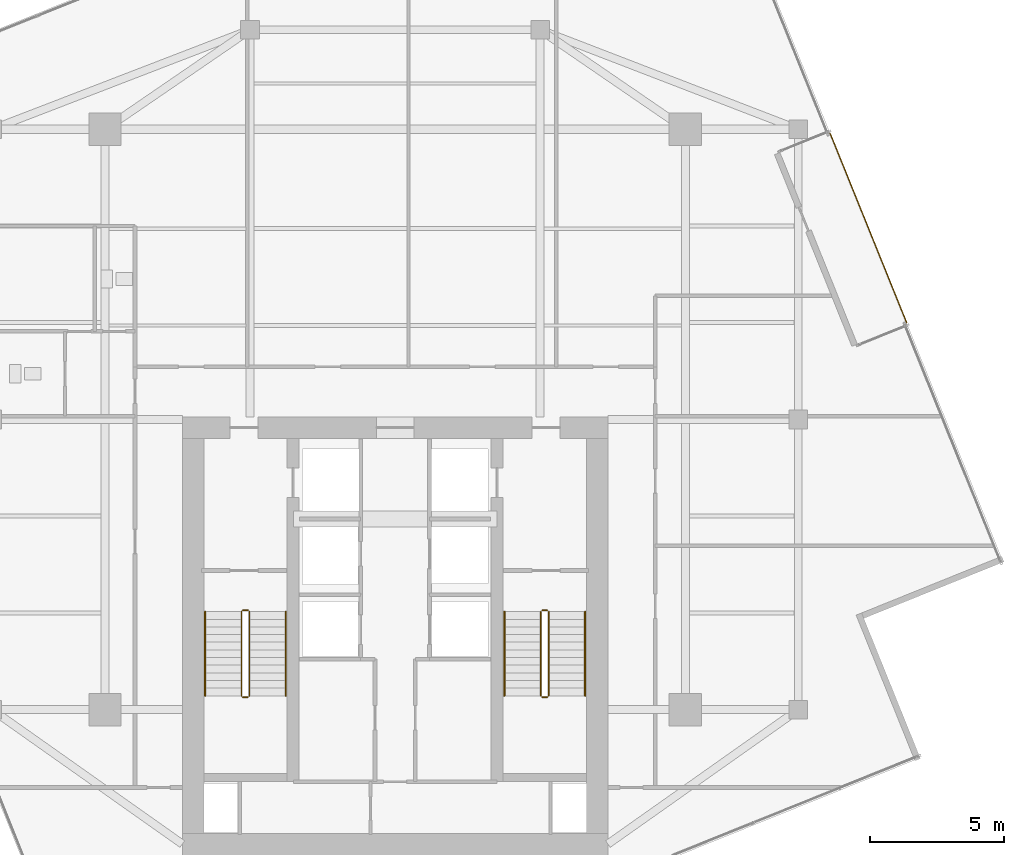
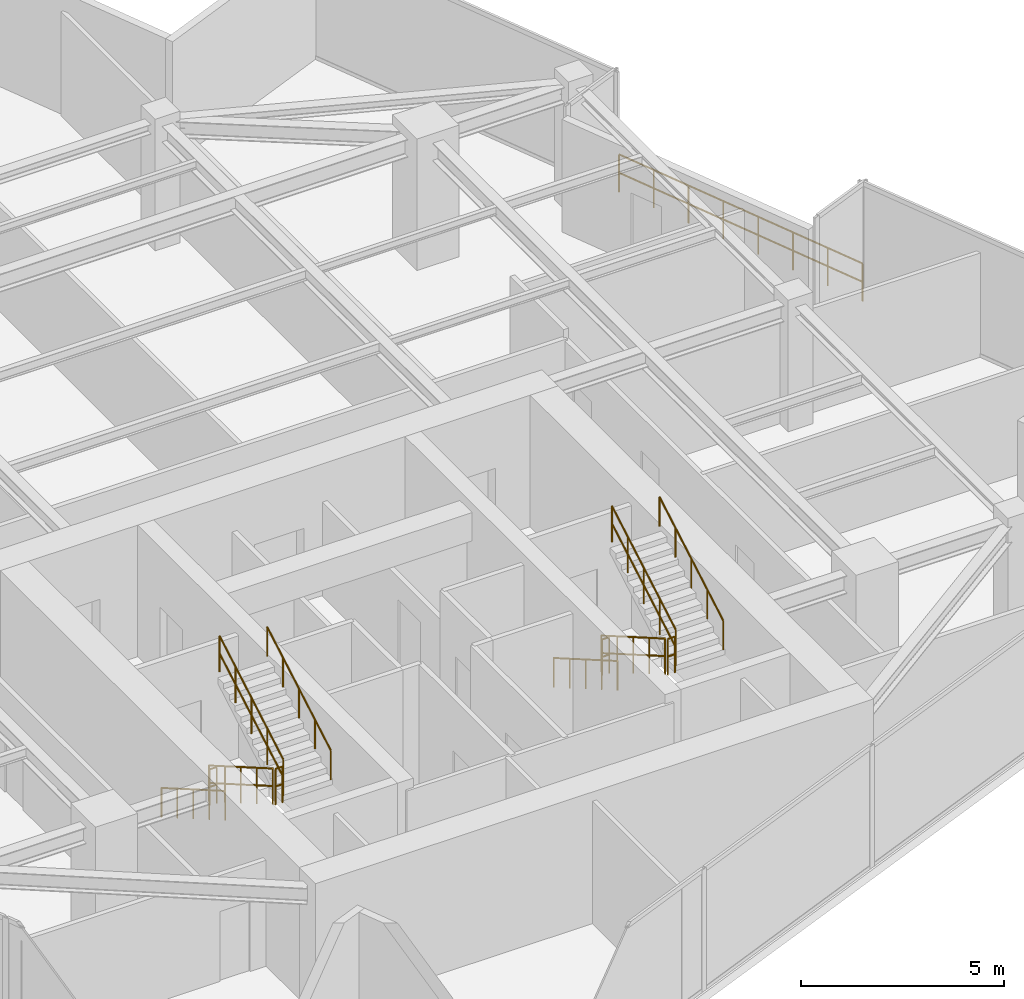
# One storey, part 20 of 21: 13 railings.
"""IFC4 building model written with IfcOpenShell, lengths in metres."""

from ifc_helpers import new_model, si_unit, direction, frame, origin, origin_2d, place, context, subcontext, project, spatial, circle, extrude, material, layer, layer_set, type_object, element, save


model = new_model("IFC4")

# Units and contexts
model_context = context("Model", 3, precision=1e-05, world=origin(), true_north=direction((0.0, 1.0)))
body_context = subcontext(model_context, "Body", "Model", "MODEL_VIEW")
ifc_project = project(units=[si_unit("LENGTHUNIT", "METRE"), si_unit("AREAUNIT", "SQUARE_METRE"), si_unit("VOLUMEUNIT", "CUBIC_METRE"), si_unit("PLANEANGLEUNIT", "RADIAN"), si_unit("MASSUNIT", "GRAM", prefix="KILO")], contexts=[model_context])

# Site, building, storey
site_placement = place(None, origin())
site = spatial("IfcSite", under=ifc_project, at=site_placement, CompositionType="ELEMENT")
building_placement = place(site_placement, origin())
building = spatial("IfcBuilding", under=site, at=building_placement, Name="Krantzveldt Concourse Tower", CompositionType="ELEMENT")
storey_placement = place(building_placement, frame((0.0, 0.0, 327.699951171875)))
storey = spatial("IfcBuildingStorey", under=building, at=storey_placement, Name="L80", CompositionType="ELEMENT", Elevation=327.699951171875)

# Railings
ifc_material = material(Name="Stainless steel 316L", Category="steel")
ifc_layer_1 = layer(ifc_material, 0.080078125, Name="Stainless steel 316L", Category="steel")
ifc_layer_set_1 = layer_set([ifc_layer_1], Name="Stainless steel 316L (RL-BALUSTRADE-1150)")
railing_type_1 = type_object("IfcRailingType", Name="RL-BALUSTRADE-1150", PredefinedType="BALUSTRADE", material=ifc_layer_set_1)
railing_1_placement = place(storey_placement, frame((52.19287109375, 37.3408203125, 0.0)))
element("IfcRailing", 1, at=railing_1_placement, inside=storey, type_object=railing_type_1, Name="GD-L80-CTER-01", PredefinedType="BALUSTRADE", context=body_context, shape_type="SweptSolid", body=[
    extrude(circle(Radius=0.02392578125, at=origin_2d()), frame((0.0, 0.0, 1.1259765625), z_axis=(0.37462291533, -0.927177259918, 0.0), x_axis=(0.927177259918, 0.37462291533, 0.0)), (0.0, 0.0, 1.0), 7.60009765625),
    extrude(circle(Radius=0.02392578125, at=origin_2d()), frame((0.0, 0.0, 0.574951171875), z_axis=(0.37462291533, -0.927177259918, 0.0), x_axis=(0.927177259918, 0.37462291533, 0.0)), (0.0, 0.0, 1.0), 7.60009765625),
    extrude(circle(Radius=0.02099609375, at=origin_2d()), origin(), (0.0, 0.0, 1.0), 1.101806640625),
    extrude(circle(Radius=0.02099609375, at=origin_2d()), frame((0.40673828125, -1.006591796875, 0.0)), (0.0, 0.0, 1.0), 1.101806640625),
    extrude(circle(Radius=0.02099609375, at=origin_2d()), frame((0.8134765625, -2.013427734375, 0.0)), (0.0, 0.0, 1.0), 1.101806640625),
    extrude(circle(Radius=0.02099609375, at=origin_2d()), frame((1.22021484375, -3.02001953125, 0.0)), (0.0, 0.0, 1.0), 1.101806640625),
    extrude(circle(Radius=0.02099609375, at=origin_2d()), frame((1.626953125, -4.026611328125, 0.0)), (0.0, 0.0, 1.0), 1.101806640625),
    extrude(circle(Radius=0.02099609375, at=origin_2d()), frame((2.03369140625, -5.033203125, 0.0)), (0.0, 0.0, 1.0), 1.101806640625),
    extrude(circle(Radius=0.02099609375, at=origin_2d()), frame((2.4404296875, -6.0400390625, 0.0)), (0.0, 0.0, 1.0), 1.101806640625),
    extrude(circle(Radius=0.02099609375, at=origin_2d()), frame((2.84716796875, -7.046630859375, 0.0)), (0.0, 0.0, 1.0), 1.101806640625),
])
ifc_layer_2 = layer(ifc_material, 0.06005859375, Name="Stainless steel 316L", Category="steel")
ifc_layer_set_2 = layer_set([ifc_layer_2], Name="Stainless steel 316L (RL-GUARD-1120)")
railing_type_2 = type_object("IfcRailingType", Name="RL-GUARD-1120", PredefinedType="GUARDRAIL", material=ifc_layer_set_2)
railing_2_placement = place(storey_placement, frame((30.280029296875, 19.550048828125, 0.16455078125)))
element("IfcRailing", 2, at=railing_2_placement, inside=storey, type_object=railing_type_2, Name="L80 ST-1 stair guard 1", PredefinedType="GUARDRAIL", context=body_context, shape_type="SweptSolid", body=[
    extrude(circle(Radius=0.02392578125, at=origin_2d()), frame((0.0, 0.0, 1.076171875), z_axis=(0.0, -0.865959834175, 0.500113552702), x_axis=(1.0, 0.0, 0.0)), (0.0, 0.0, 1.0), 3.620361328125),
    extrude(circle(Radius=0.02392578125, at=origin_2d()), frame((0.0, 0.0, 0.550048828125), z_axis=(0.0, -0.865959834175, 0.500113552702), x_axis=(1.0, 0.0, 0.0)), (0.0, 0.0, 1.0), 3.620361328125),
    extrude(circle(Radius=0.02099609375, at=origin_2d()), origin(), (0.0, 0.0, 1.0), 1.052001953125),
    extrude(circle(Radius=0.02099609375, at=origin_2d()), frame((0.0, -0.78369140625, 0.45263671875)), (0.0, 0.0, 1.0), 1.052001953125),
    extrude(circle(Radius=0.02099609375, at=origin_2d()), frame((0.0, -1.5673828125, 0.9052734375)), (0.0, 0.0, 1.0), 1.052001953125),
    extrude(circle(Radius=0.02099609375, at=origin_2d()), frame((0.0, -2.351318359375, 1.35791015625)), (0.0, 0.0, 1.0), 1.052001953125),
    extrude(circle(Radius=0.02099609375, at=origin_2d()), frame((0.0, -3.135009765625, 1.810546875)), (0.0, 0.0, 1.0), 1.052001953125),
])
railing_3_placement = place(storey_placement, frame((30.330078125, 16.364990234375, 1.97509765625)))
element("IfcRailing", 3, at=railing_3_placement, inside=storey, type_object=railing_type_2, Name="L80 ST-1 stair guard 2", PredefinedType="GUARDRAIL", context=body_context, shape_type="SweptSolid", body=[
    extrude(circle(Radius=0.02392578125, at=origin_2d()), frame((0.0, 0.0, 1.076171875), z_axis=(1.0, 0.0, 0.0), x_axis=(0.0, 1.0, 0.0)), (0.0, 0.0, 1.0), 0.199951171875),
    extrude(circle(Radius=0.02392578125, at=origin_2d()), frame((0.0, 0.0, 0.550048828125), z_axis=(1.0, 0.0, 0.0), x_axis=(0.0, 1.0, 0.0)), (0.0, 0.0, 1.0), 0.199951171875),
    extrude(circle(Radius=0.02099609375, at=origin_2d()), origin(), (0.0, 0.0, 1.0), 1.052001953125),
    extrude(circle(Radius=0.02099609375, at=origin_2d()), frame((0.199951171875, 0.0, 0.0)), (0.0, 0.0, 1.0), 1.052001953125),
])
railing_4_placement = place(storey_placement, frame((30.580078125, 16.4150390625, 2.1396484375)))
element("IfcRailing", 4, at=railing_4_placement, inside=storey, type_object=railing_type_2, Name="L80 ST-1 stair guard 3", PredefinedType="GUARDRAIL", context=body_context, shape_type="SweptSolid", body=[
    extrude(circle(Radius=0.02392578125, at=origin_2d()), frame((0.0, 0.0, 1.076171875), z_axis=(0.0, 0.865989039225, 0.500062979975), x_axis=(-1.0, 0.0, 0.0)), (0.0, 0.0, 1.0), 3.6201171875),
    extrude(circle(Radius=0.02392578125, at=origin_2d()), frame((0.0, 0.0, 0.550048828125), z_axis=(0.0, 0.865989039225, 0.500062979975), x_axis=(-1.0, 0.0, 0.0)), (0.0, 0.0, 1.0), 3.6201171875),
    extrude(circle(Radius=0.02099609375, at=origin_2d()), origin(), (0.0, 0.0, 1.0), 1.052001953125),
    extrude(circle(Radius=0.02099609375, at=origin_2d()), frame((0.0, 0.78369140625, 0.45263671875)), (0.0, 0.0, 1.0), 1.052001953125),
    extrude(circle(Radius=0.02099609375, at=origin_2d()), frame((0.0, 1.5673828125, 0.9052734375)), (0.0, 0.0, 1.0), 1.052001953125),
    extrude(circle(Radius=0.02099609375, at=origin_2d()), frame((0.0, 2.351318359375, 1.357666015625)), (0.0, 0.0, 1.0), 1.052001953125),
    extrude(circle(Radius=0.02099609375, at=origin_2d()), frame((0.0, 3.135009765625, 1.810302734375)), (0.0, 0.0, 1.0), 1.052001953125),
])
railing_5_placement = place(storey_placement, frame((30.330078125, 19.60009765625, 0.0)))
element("IfcRailing", 5, at=railing_5_placement, inside=storey, type_object=railing_type_2, Name="L80 ST-1 stair guard 4", PredefinedType="GUARDRAIL", context=body_context, shape_type="SweptSolid", body=[
    extrude(circle(Radius=0.02392578125, at=origin_2d()), frame((0.0, 0.0, 1.076171875), z_axis=(1.0, 0.0, 0.0), x_axis=(0.0, 1.0, 0.0)), (0.0, 0.0, 1.0), 0.199951171875),
    extrude(circle(Radius=0.02392578125, at=origin_2d()), frame((0.0, 0.0, 0.550048828125), z_axis=(1.0, 0.0, 0.0), x_axis=(0.0, 1.0, 0.0)), (0.0, 0.0, 1.0), 0.199951171875),
    extrude(circle(Radius=0.02099609375, at=origin_2d()), origin(), (0.0, 0.0, 1.0), 1.052001953125),
    extrude(circle(Radius=0.02099609375, at=origin_2d()), frame((0.199951171875, 0.0, 0.0)), (0.0, 0.0, 1.0), 1.052001953125),
])
railing_6_placement = place(storey_placement, frame((41.419921875, 19.550048828125, 0.16455078125)))
element("IfcRailing", 6, at=railing_6_placement, inside=storey, type_object=railing_type_2, Name="L80 ST-2 stair guard 1", PredefinedType="GUARDRAIL", context=body_context, shape_type="SweptSolid", body=[
    extrude(circle(Radius=0.02392578125, at=origin_2d()), frame((0.0, 0.0, 1.076171875), z_axis=(0.0, -0.865959834175, 0.500113552702), x_axis=(1.0, 0.0, 0.0)), (0.0, 0.0, 1.0), 3.620361328125),
    extrude(circle(Radius=0.02392578125, at=origin_2d()), frame((0.0, 0.0, 0.550048828125), z_axis=(0.0, -0.865959834175, 0.500113552702), x_axis=(1.0, 0.0, 0.0)), (0.0, 0.0, 1.0), 3.620361328125),
    extrude(circle(Radius=0.02099609375, at=origin_2d()), origin(), (0.0, 0.0, 1.0), 1.052001953125),
    extrude(circle(Radius=0.02099609375, at=origin_2d()), frame((0.0, -0.78369140625, 0.45263671875)), (0.0, 0.0, 1.0), 1.052001953125),
    extrude(circle(Radius=0.02099609375, at=origin_2d()), frame((0.0, -1.5673828125, 0.9052734375)), (0.0, 0.0, 1.0), 1.052001953125),
    extrude(circle(Radius=0.02099609375, at=origin_2d()), frame((0.0, -2.351318359375, 1.35791015625)), (0.0, 0.0, 1.0), 1.052001953125),
    extrude(circle(Radius=0.02099609375, at=origin_2d()), frame((0.0, -3.135009765625, 1.810546875)), (0.0, 0.0, 1.0), 1.052001953125),
])
railing_7_placement = place(storey_placement, frame((41.469970703125, 16.364990234375, 1.97509765625)))
element("IfcRailing", 7, at=railing_7_placement, inside=storey, type_object=railing_type_2, Name="L80 ST-2 stair guard 2", PredefinedType="GUARDRAIL", context=body_context, shape_type="SweptSolid", body=[
    extrude(circle(Radius=0.02392578125, at=origin_2d()), frame((0.0, 0.0, 1.076171875), z_axis=(1.0, 0.0, 0.0), x_axis=(0.0, 1.0, 0.0)), (0.0, 0.0, 1.0), 0.199951171875),
    extrude(circle(Radius=0.02392578125, at=origin_2d()), frame((0.0, 0.0, 0.550048828125), z_axis=(1.0, 0.0, 0.0), x_axis=(0.0, 1.0, 0.0)), (0.0, 0.0, 1.0), 0.199951171875),
    extrude(circle(Radius=0.02099609375, at=origin_2d()), origin(), (0.0, 0.0, 1.0), 1.052001953125),
    extrude(circle(Radius=0.02099609375, at=origin_2d()), frame((0.199951171875, 0.0, 0.0)), (0.0, 0.0, 1.0), 1.052001953125),
])
railing_8_placement = place(storey_placement, frame((41.719970703125, 16.4150390625, 2.1396484375)))
element("IfcRailing", 8, at=railing_8_placement, inside=storey, type_object=railing_type_2, Name="L80 ST-2 stair guard 3", PredefinedType="GUARDRAIL", context=body_context, shape_type="SweptSolid", body=[
    extrude(circle(Radius=0.02392578125, at=origin_2d()), frame((0.0, 0.0, 1.076171875), z_axis=(0.0, 0.865989039225, 0.500062979975), x_axis=(-1.0, 0.0, 0.0)), (0.0, 0.0, 1.0), 3.6201171875),
    extrude(circle(Radius=0.02392578125, at=origin_2d()), frame((0.0, 0.0, 0.550048828125), z_axis=(0.0, 0.865989039225, 0.500062979975), x_axis=(-1.0, 0.0, 0.0)), (0.0, 0.0, 1.0), 3.6201171875),
    extrude(circle(Radius=0.02099609375, at=origin_2d()), origin(), (0.0, 0.0, 1.0), 1.052001953125),
    extrude(circle(Radius=0.02099609375, at=origin_2d()), frame((0.0, 0.78369140625, 0.45263671875)), (0.0, 0.0, 1.0), 1.052001953125),
    extrude(circle(Radius=0.02099609375, at=origin_2d()), frame((0.0, 1.5673828125, 0.9052734375)), (0.0, 0.0, 1.0), 1.052001953125),
    extrude(circle(Radius=0.02099609375, at=origin_2d()), frame((0.0, 2.351318359375, 1.357666015625)), (0.0, 0.0, 1.0), 1.052001953125),
    extrude(circle(Radius=0.02099609375, at=origin_2d()), frame((0.0, 3.135009765625, 1.810302734375)), (0.0, 0.0, 1.0), 1.052001953125),
])
railing_9_placement = place(storey_placement, frame((41.469970703125, 19.60009765625, 0.0)))
element("IfcRailing", 9, at=railing_9_placement, inside=storey, type_object=railing_type_2, Name="L80 ST-2 stair guard 4", PredefinedType="GUARDRAIL", context=body_context, shape_type="SweptSolid", body=[
    extrude(circle(Radius=0.02392578125, at=origin_2d()), frame((0.0, 0.0, 1.076171875), z_axis=(1.0, 0.0, 0.0), x_axis=(0.0, 1.0, 0.0)), (0.0, 0.0, 1.0), 0.199951171875),
    extrude(circle(Radius=0.02392578125, at=origin_2d()), frame((0.0, 0.0, 0.550048828125), z_axis=(1.0, 0.0, 0.0), x_axis=(0.0, 1.0, 0.0)), (0.0, 0.0, 1.0), 0.199951171875),
    extrude(circle(Radius=0.02099609375, at=origin_2d()), origin(), (0.0, 0.0, 1.0), 1.052001953125),
    extrude(circle(Radius=0.02099609375, at=origin_2d()), frame((0.199951171875, 0.0, 0.0)), (0.0, 0.0, 1.0), 1.052001953125),
])
ifc_layer_3 = layer(ifc_material, 0.050048828125, Name="Stainless steel 316L", Category="steel")
ifc_layer_set_3 = layer_set([ifc_layer_3], Name="Stainless steel 316L (RL-HANDRAIL-920)")
railing_type_3 = type_object("IfcRailingType", Name="RL-HANDRAIL-920", PredefinedType="HANDRAIL", material=ifc_layer_set_3)
railing_10_placement = place(storey_placement, frame((28.929931640625, 19.550048828125, 0.16455078125)))
element("IfcRailing", 10, at=railing_10_placement, inside=storey, type_object=railing_type_3, Name="L80 ST-1 stair handrail 1", PredefinedType="HANDRAIL", context=body_context, shape_type="SweptSolid", body=[
    extrude(circle(Radius=0.02392578125, at=origin_2d()), frame((0.0, 0.0, 0.8759765625), z_axis=(0.0, -0.865959834175, 0.500113552702), x_axis=(1.0, 0.0, 0.0)), (0.0, 0.0, 1.0), 3.620361328125),
    extrude(circle(Radius=0.02099609375, at=origin_2d()), origin(), (0.0, 0.0, 1.0), 0.851806640625),
    extrude(circle(Radius=0.02099609375, at=origin_2d()), frame((0.0, -0.78369140625, 0.45263671875)), (0.0, 0.0, 1.0), 0.851806640625),
    extrude(circle(Radius=0.02099609375, at=origin_2d()), frame((0.0, -1.5673828125, 0.9052734375)), (0.0, 0.0, 1.0), 0.851806640625),
    extrude(circle(Radius=0.02099609375, at=origin_2d()), frame((0.0, -2.351318359375, 1.35791015625)), (0.0, 0.0, 1.0), 0.851806640625),
    extrude(circle(Radius=0.02099609375, at=origin_2d()), frame((0.0, -3.135009765625, 1.810546875)), (0.0, 0.0, 1.0), 0.851806640625),
])
railing_11_placement = place(storey_placement, frame((31.929931640625, 16.4150390625, 2.1396484375)))
element("IfcRailing", 11, at=railing_11_placement, inside=storey, type_object=railing_type_3, Name="L80 ST-1 stair handrail 2", PredefinedType="HANDRAIL", context=body_context, shape_type="SweptSolid", body=[
    extrude(circle(Radius=0.02392578125, at=origin_2d()), frame((0.0, 0.0, 0.8759765625), z_axis=(0.0, 0.865989039225, 0.500062979975), x_axis=(-1.0, 0.0, 0.0)), (0.0, 0.0, 1.0), 3.6201171875),
    extrude(circle(Radius=0.02099609375, at=origin_2d()), origin(), (0.0, 0.0, 1.0), 0.851806640625),
    extrude(circle(Radius=0.02099609375, at=origin_2d()), frame((0.0, 0.78369140625, 0.45263671875)), (0.0, 0.0, 1.0), 0.851806640625),
    extrude(circle(Radius=0.02099609375, at=origin_2d()), frame((0.0, 1.5673828125, 0.9052734375)), (0.0, 0.0, 1.0), 0.851806640625),
    extrude(circle(Radius=0.02099609375, at=origin_2d()), frame((0.0, 2.351318359375, 1.357666015625)), (0.0, 0.0, 1.0), 0.851806640625),
    extrude(circle(Radius=0.02099609375, at=origin_2d()), frame((0.0, 3.135009765625, 1.810302734375)), (0.0, 0.0, 1.0), 0.851806640625),
])
railing_12_placement = place(storey_placement, frame((40.070068359375, 19.550048828125, 0.16455078125)))
element("IfcRailing", 12, at=railing_12_placement, inside=storey, type_object=railing_type_3, Name="L80 ST-2 stair handrail 1", PredefinedType="HANDRAIL", context=body_context, shape_type="SweptSolid", body=[
    extrude(circle(Radius=0.02392578125, at=origin_2d()), frame((0.0, 0.0, 0.8759765625), z_axis=(0.0, -0.865959834175, 0.500113552702), x_axis=(1.0, 0.0, 0.0)), (0.0, 0.0, 1.0), 3.620361328125),
    extrude(circle(Radius=0.02099609375, at=origin_2d()), origin(), (0.0, 0.0, 1.0), 0.851806640625),
    extrude(circle(Radius=0.02099609375, at=origin_2d()), frame((0.0, -0.78369140625, 0.45263671875)), (0.0, 0.0, 1.0), 0.851806640625),
    extrude(circle(Radius=0.02099609375, at=origin_2d()), frame((0.0, -1.5673828125, 0.9052734375)), (0.0, 0.0, 1.0), 0.851806640625),
    extrude(circle(Radius=0.02099609375, at=origin_2d()), frame((0.0, -2.351318359375, 1.35791015625)), (0.0, 0.0, 1.0), 0.851806640625),
    extrude(circle(Radius=0.02099609375, at=origin_2d()), frame((0.0, -3.135009765625, 1.810546875)), (0.0, 0.0, 1.0), 0.851806640625),
])
railing_13_placement = place(storey_placement, frame((43.070068359375, 16.4150390625, 2.1396484375)))
element("IfcRailing", 13, at=railing_13_placement, inside=storey, type_object=railing_type_3, Name="L80 ST-2 stair handrail 2", PredefinedType="HANDRAIL", context=body_context, shape_type="SweptSolid", body=[
    extrude(circle(Radius=0.02392578125, at=origin_2d()), frame((0.0, 0.0, 0.8759765625), z_axis=(0.0, 0.865989039225, 0.500062979975), x_axis=(-1.0, 0.0, 0.0)), (0.0, 0.0, 1.0), 3.6201171875),
    extrude(circle(Radius=0.02099609375, at=origin_2d()), origin(), (0.0, 0.0, 1.0), 0.851806640625),
    extrude(circle(Radius=0.02099609375, at=origin_2d()), frame((0.0, 0.78369140625, 0.45263671875)), (0.0, 0.0, 1.0), 0.851806640625),
    extrude(circle(Radius=0.02099609375, at=origin_2d()), frame((0.0, 1.5673828125, 0.9052734375)), (0.0, 0.0, 1.0), 0.851806640625),
    extrude(circle(Radius=0.02099609375, at=origin_2d()), frame((0.0, 2.351318359375, 1.357666015625)), (0.0, 0.0, 1.0), 0.851806640625),
    extrude(circle(Radius=0.02099609375, at=origin_2d()), frame((0.0, 3.135009765625, 1.810302734375)), (0.0, 0.0, 1.0), 0.851806640625),
])

save(model, "model.ifc")
